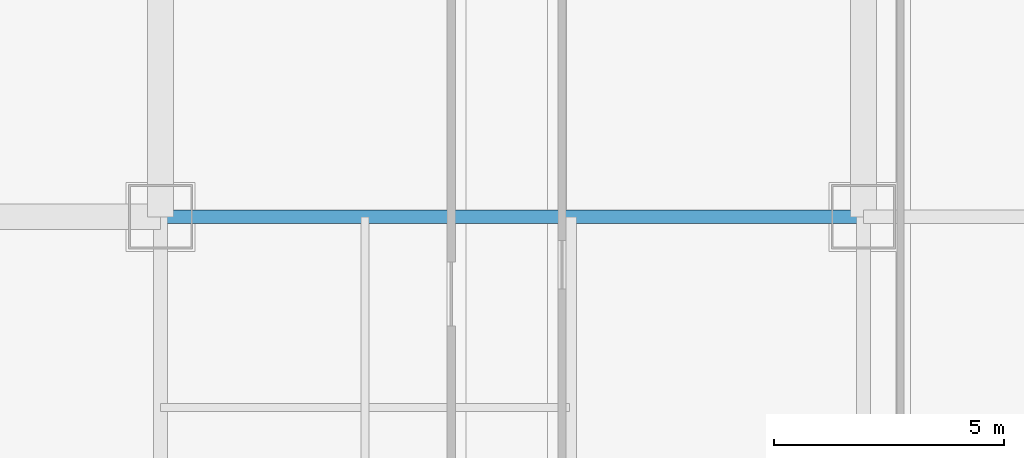
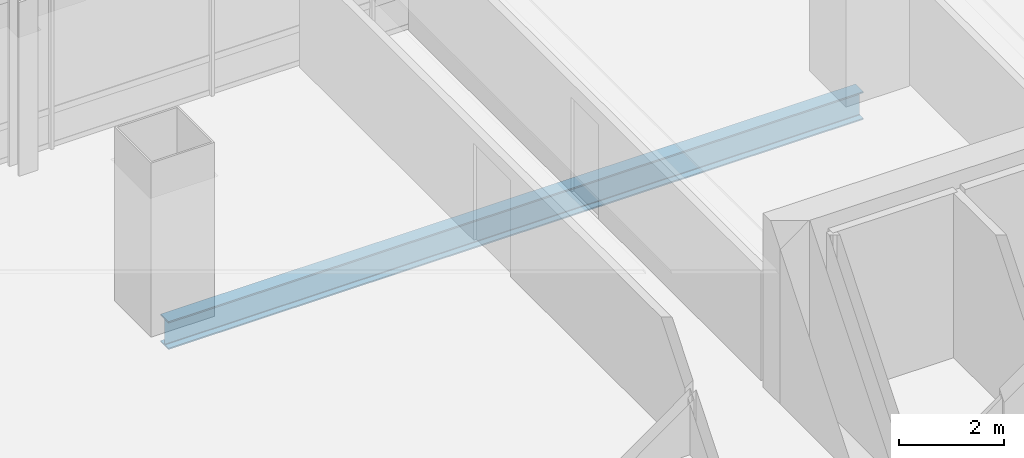
# One storey, part 20 of 38: 1 beam.
"""IFC4 building model written with IfcOpenShell, lengths in metres."""

from ifc_helpers import new_model, si_unit, direction, frame, origin, origin_2d, place, context, subcontext, project, spatial, i_section, extrude, material, material_profile, profile_set, type_object, element, save


model = new_model("IFC4")

# Units and contexts
model_context = context("Model", 3, precision=1e-05, world=origin(), true_north=direction((0.0, 1.0)))
body_context = subcontext(model_context, "Body", "Model", "MODEL_VIEW")
ifc_project = project(units=[si_unit("LENGTHUNIT", "METRE"), si_unit("AREAUNIT", "SQUARE_METRE"), si_unit("VOLUMEUNIT", "CUBIC_METRE"), si_unit("PLANEANGLEUNIT", "RADIAN"), si_unit("MASSUNIT", "GRAM", prefix="KILO")], contexts=[model_context])

# Site, building, storey
site_placement = place(None, origin())
site = spatial("IfcSite", under=ifc_project, at=site_placement, CompositionType="ELEMENT")
building_placement = place(site_placement, origin())
building = spatial("IfcBuilding", under=site, at=building_placement, Name="Punatoya Terracotta Tower", CompositionType="ELEMENT")
storey_placement = place(building_placement, frame((0.0, 0.0, 151.949951171875)))
storey = spatial("IfcBuildingStorey", under=building, at=storey_placement, Name="L35", CompositionType="ELEMENT", Elevation=151.949951171875)

# Beam
ifc_material = material(Name="Steel S355", Category="steel")
ifc_material_profile = material_profile(ifc_material, i_section(OverallWidth=0.300048828125, OverallDepth=0.64990234375, WebThickness=0.01611328125, FlangeThickness=0.031005859375, FilletRadius=0.01806640625, at=origin_2d()))
ifc_profile_set = profile_set([ifc_material_profile], Name="Steel S355")
beam_type = type_object("IfcBeamType", Name="BM-PRI-650", PredefinedType="BEAM", material=ifc_profile_set)
beam_placement = place(storey_placement, frame((-19.10009765625, 17.5, -0.544921875), z_axis=(1.0, 0.0, 0.0), x_axis=(0.0, 1.0, 0.0)))
element("IfcBeam", 1, at=beam_placement, inside=storey, type_object=beam_type, Name="BM-L35-RG-N1", PredefinedType="BEAM", context=body_context, shape_type="SweptSolid", body=[
    extrude(i_section(OverallWidth=0.300048828125, OverallDepth=0.64990234375, WebThickness=0.01611328125, FlangeThickness=0.031005859375, FilletRadius=0.01806640625, at=origin_2d()), origin(), (0.0, 0.0, 1.0), 15.300048828125),
])

save(model, "model.ifc")
